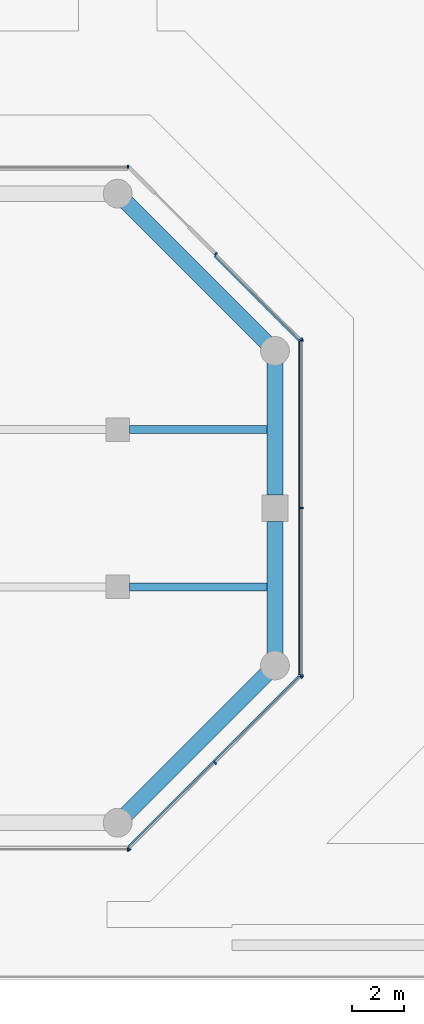
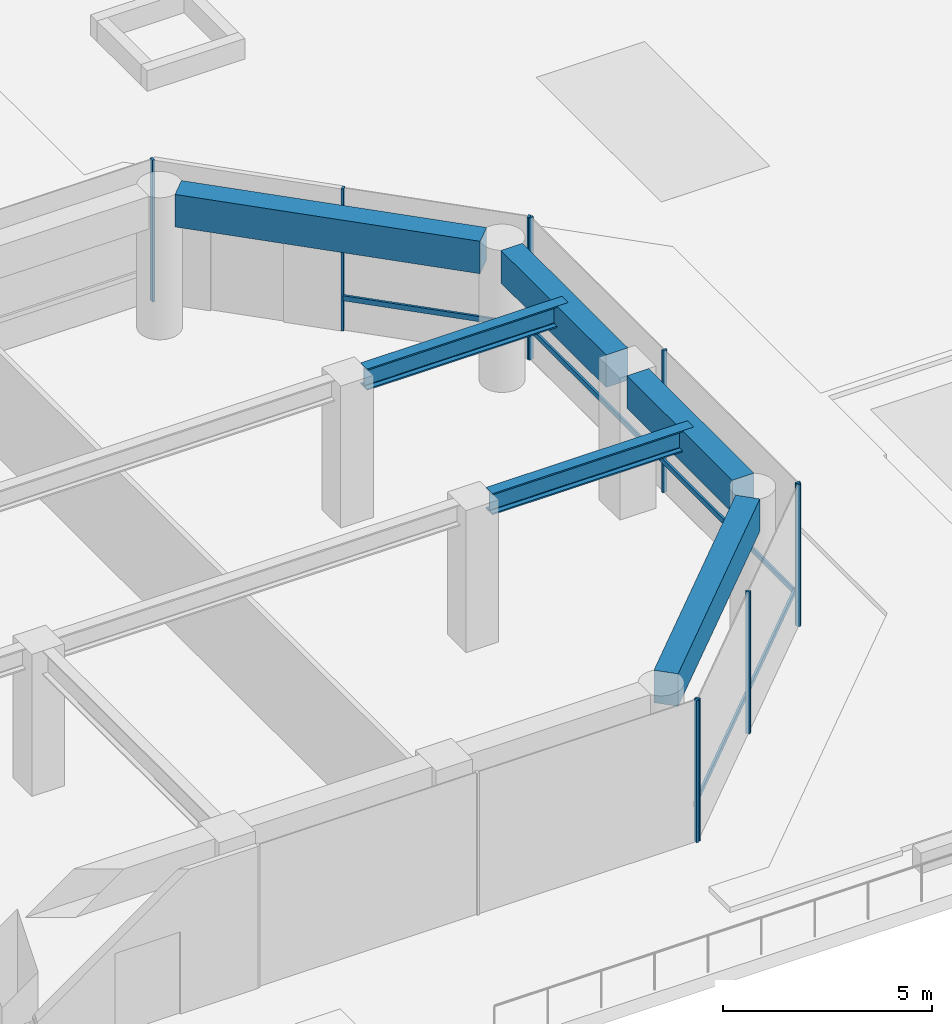
# One storey, part 20 of 31: 13 members, 6 beams, 5 elements without a shape of their own.
"""IFC4 building model written with IfcOpenShell, lengths in metres."""

from ifc_helpers import new_model, si_unit, direction, frame, origin, origin_2d, place, context, subcontext, project, spatial, rectangle, i_section, extrude, material, layer, layer_set, material_profile, profile_set, type_object, element, aggregate, save


model = new_model("IFC4")

# Units and contexts
model_context = context("Model", 3, precision=1e-05, world=origin(), true_north=direction((0.0, 1.0)))
body_context = subcontext(model_context, "Body", "Model", "MODEL_VIEW")
ifc_project = project(units=[si_unit("LENGTHUNIT", "METRE"), si_unit("AREAUNIT", "SQUARE_METRE"), si_unit("VOLUMEUNIT", "CUBIC_METRE"), si_unit("PLANEANGLEUNIT", "RADIAN"), si_unit("MASSUNIT", "GRAM", prefix="KILO")], contexts=[model_context])

# Site, building, storey
site_placement = place(None, origin())
site = spatial("IfcSite", under=ifc_project, at=site_placement, CompositionType="ELEMENT")
building_placement = place(site_placement, origin())
building = spatial("IfcBuilding", under=site, at=building_placement, Name="Welwitschia Terrace Campus", CompositionType="ELEMENT")
storey_placement = place(building_placement, frame((0.0, 0.0, 11.0)))
storey = spatial("IfcBuildingStorey", under=building, at=storey_placement, Name="L02", CompositionType="ELEMENT", Elevation=11.0)

# Beams
ifc_material_1 = material(Name="Steel S355", Category="steel")
ifc_material_profile_1 = material_profile(ifc_material_1, i_section(OverallWidth=0.304931640625, OverallDepth=0.6201171875, WebThickness=0.02099609375, FlangeThickness=0.0400390625, FilletRadius=0.027099609375, at=origin_2d()))
ifc_profile_set_1 = profile_set([ifc_material_profile_1], Name="Steel S355")
beam_type_1 = type_object("IfcBeamType", Name="Interior girder HE 600 M", PredefinedType="BEAM", material=ifc_profile_set_1)
for number, where, z_axis, x_axis, name in (
    (1, (60.450439453125, 5.0, 3.840087890625), (1.0, 0.0, 0.0), (0.0, 1.0, 0.0), "Girder GB1"),
    (2, (60.450439453125, 11.0, 3.840087890625), (1.0, 0.0, 0.0), (0.0, 1.0, 0.0), "Girder GB1"),
):
    element("IfcBeam", number, at=place(storey_placement, frame(where, z_axis=z_axis, x_axis=x_axis)), inside=storey, type_object=beam_type_1, Name=name, PredefinedType="BEAM", context=body_context, shape_type="SweptSolid", body=[
        extrude(i_section(OverallWidth=0.304931640625, OverallDepth=0.6201171875, WebThickness=0.02099609375, FlangeThickness=0.0400390625, FilletRadius=0.027099609375, at=origin_2d()), origin(), (0.0, 0.0, 1.0), 5.5595703125),
    ])

# Curtain wall, member
ifc_material_2 = material(Name="Bronze anodised aluminium", Category="aluminium")
ifc_layer = layer(ifc_material_2, 0.1201171875)
ifc_layer_set = layer_set([ifc_layer], Name="Bronze anodised aluminium")
curtain_wall_type = type_object("IfcCurtainWallType", Name="Curtain wall CW2 tower 6000", PredefinedType="NOTDEFINED", material=ifc_layer_set)
curtain_wall_1_placement = place(storey_placement, origin())
curtain_wall_1 = element("IfcCurtainWall", 3, at=curtain_wall_1_placement, inside=storey, type_object=curtain_wall_type, Name="CW L02.1.7", PredefinedType="NOTDEFINED")
ifc_material_3 = material(Name="Bronze anodised aluminium", Category="aluminium")
ifc_material_profile_2 = material_profile(ifc_material_3, rectangle(XDim=0.1201171875, YDim=0.06005859375, at=origin_2d()))
ifc_profile_set_2 = profile_set([ifc_material_profile_2], Name="Bronze anodised aluminium")
member_type_1 = type_object("IfcMemberType", Name="Mullion 60x120", PredefinedType="MULLION", material=ifc_profile_set_2)
member_1_placement = place(storey_placement, frame((60.392578125, -5.02001953125, 0.0), z_axis=(0.0, 0.0, 1.0), x_axis=(0.0, 1.0, 0.0)))
member_1 = element("IfcMember", 4, at=member_1_placement, type_object=member_type_1, Name="Mullion L02.1.7.2", PredefinedType="MULLION", context=body_context, shape_type="SweptSolid", body=[
    extrude(rectangle(XDim=0.1201171875, YDim=0.06005859375, at=origin_2d()), origin(), (0.0, 0.0, 1.0), 4.14990234375),
])
aggregate(curtain_wall_1, [member_1])

# Curtain wall, members
curtain_wall_2_placement = place(storey_placement, origin())
curtain_wall_2 = element("IfcCurtainWall", 5, at=curtain_wall_2_placement, inside=storey, type_object=curtain_wall_type, Name="CW L02.2.0", PredefinedType="NOTDEFINED")
member_2_placement = place(storey_placement, frame((60.443603515625, -4.998779296875, 0.0), z_axis=(0.0, 0.0, 1.0), x_axis=(-0.707106781187, 0.707106781187, 0.0)))
member_2 = element("IfcMember", 6, at=member_2_placement, type_object=member_type_1, Name="Mullion L02.2.0.0", PredefinedType="MULLION", context=body_context, shape_type="SweptSolid", body=[
    extrude(rectangle(XDim=0.1201171875, YDim=0.06005859375, at=origin_2d()), origin(), (0.0, 0.0, 1.0), 4.14990234375),
])
member_3_placement = place(storey_placement, frame((63.72119140625, -1.72119140625, 0.0), z_axis=(0.0, 0.0, 1.0), x_axis=(-0.707106781187, 0.707106781187, 0.0)))
member_3 = element("IfcMember", 7, at=member_3_placement, type_object=member_type_1, Name="Mullion L02.2.0.1", PredefinedType="MULLION", context=body_context, shape_type="SweptSolid", body=[
    extrude(rectangle(XDim=0.1201171875, YDim=0.06005859375, at=origin_2d()), origin(), (0.0, 0.0, 1.0), 4.14990234375),
])
member_4_placement = place(storey_placement, frame((66.998779296875, 1.556396484375, 0.0), z_axis=(0.0, 0.0, 1.0), x_axis=(-0.707106781187, 0.707106781187, 0.0)))
member_4 = element("IfcMember", 8, at=member_4_placement, type_object=member_type_1, Name="Mullion L02.2.0.2", PredefinedType="MULLION", context=body_context, shape_type="SweptSolid", body=[
    extrude(rectangle(XDim=0.1201171875, YDim=0.06005859375, at=origin_2d()), origin(), (0.0, 0.0, 1.0), 4.14990234375),
])

curtain_wall_3_placement = place(storey_placement, origin())
curtain_wall_3 = element("IfcCurtainWall", 9, at=curtain_wall_3_placement, inside=storey, type_object=curtain_wall_type, Name="CW L02.3.0", PredefinedType="NOTDEFINED")
member_5_placement = place(storey_placement, frame((67.02001953125, 1.607421875, 0.0), z_axis=(0.0, 0.0, 1.0), x_axis=(-1.0, 0.0, 0.0)))
member_5 = element("IfcMember", 10, at=member_5_placement, type_object=member_type_1, Name="Mullion L02.3.0.0", PredefinedType="MULLION", context=body_context, shape_type="SweptSolid", body=[
    extrude(rectangle(XDim=0.1201171875, YDim=0.06005859375, at=origin_2d()), origin(), (0.0, 0.0, 1.0), 4.14990234375),
])
member_6_placement = place(storey_placement, frame((67.02001953125, 8.0, 0.0), z_axis=(0.0, 0.0, 1.0), x_axis=(-1.0, 0.0, 0.0)))
member_6 = element("IfcMember", 11, at=member_6_placement, type_object=member_type_1, Name="Mullion L02.3.0.1", PredefinedType="MULLION", context=body_context, shape_type="SweptSolid", body=[
    extrude(rectangle(XDim=0.1201171875, YDim=0.06005859375, at=origin_2d()), origin(), (0.0, 0.0, 1.0), 4.14990234375),
])
member_7_placement = place(storey_placement, frame((67.02001953125, 14.392578125, 0.0), z_axis=(0.0, 0.0, 1.0), x_axis=(-1.0, 0.0, 0.0)))
member_7 = element("IfcMember", 12, at=member_7_placement, type_object=member_type_1, Name="Mullion L02.3.0.2", PredefinedType="MULLION", context=body_context, shape_type="SweptSolid", body=[
    extrude(rectangle(XDim=0.1201171875, YDim=0.06005859375, at=origin_2d()), origin(), (0.0, 0.0, 1.0), 4.14990234375),
])

curtain_wall_4_placement = place(storey_placement, origin())
curtain_wall_4 = element("IfcCurtainWall", 13, at=curtain_wall_4_placement, inside=storey, type_object=curtain_wall_type, Name="CW L02.4.0", PredefinedType="NOTDEFINED")
member_8_placement = place(storey_placement, frame((66.998779296875, 14.443603515625, 0.0), z_axis=(0.0, 0.0, 1.0), x_axis=(-0.707106781187, -0.707106781187, 0.0)))
member_8 = element("IfcMember", 14, at=member_8_placement, type_object=member_type_1, Name="Mullion L02.4.0.0", PredefinedType="MULLION", context=body_context, shape_type="SweptSolid", body=[
    extrude(rectangle(XDim=0.1201171875, YDim=0.06005859375, at=origin_2d()), origin(), (0.0, 0.0, 1.0), 4.14990234375),
])
member_9_placement = place(storey_placement, frame((63.742431640625, 17.699951171875, 0.0), z_axis=(0.0, 0.0, 1.0), x_axis=(-0.707106781187, -0.707106781187, 0.0)))
member_9 = element("IfcMember", 15, at=member_9_placement, type_object=member_type_1, Name="Mullion L02.4.0.1", PredefinedType="MULLION", context=body_context, shape_type="SweptSolid", body=[
    extrude(rectangle(XDim=0.1201171875, YDim=0.06005859375, at=origin_2d()), origin(), (0.0, 0.0, 1.0), 4.14990234375),
])

# Curtain wall, member
curtain_wall_5_placement = place(storey_placement, origin())
curtain_wall_5 = element("IfcCurtainWall", 16, at=curtain_wall_5_placement, inside=storey, type_object=curtain_wall_type, Name="CW L02.5.0", PredefinedType="NOTDEFINED")
member_10_placement = place(storey_placement, frame((60.392578125, 21.02001953125, 0.0), z_axis=(0.0, 0.0, 1.0), x_axis=(0.0, -1.0, 0.0)))
member_10 = element("IfcMember", 17, at=member_10_placement, type_object=member_type_1, Name="Mullion L02.5.0.0", PredefinedType="MULLION", context=body_context, shape_type="SweptSolid", body=[
    extrude(rectangle(XDim=0.1201171875, YDim=0.06005859375, at=origin_2d()), origin(), (0.0, 0.0, 1.0), 4.14990234375),
])
aggregate(curtain_wall_5, [member_10])

# Beams
ifc_material_4 = material(Name="Concrete C60/75", Category="concrete")
ifc_material_profile_3 = material_profile(ifc_material_4, rectangle(XDim=0.60009765625, YDim=0.949951171875, at=origin_2d()))
ifc_profile_set_3 = profile_set([ifc_material_profile_3], Name="Concrete C60/75")
beam_type_2 = type_object("IfcBeamType", Name="Ring spandrel 600x950", PredefinedType="SPANDREL", material=ifc_profile_set_3)
beam_1_placement = place(storey_placement, frame((60.326416015625, -3.673583984375, 3.675048828125), z_axis=(0.707106781187, 0.707106781187, 0.0), x_axis=(-0.707106781187, 0.707106781187, 0.0)))
element("IfcBeam", 18, at=beam_1_placement, inside=storey, type_object=beam_type_2, Name="Spandrel SP1", PredefinedType="SPANDREL", context=body_context, shape_type="SweptSolid", body=[
    extrude(rectangle(XDim=0.60009765625, YDim=0.949951171875, at=origin_2d()), origin(), (0.0, 0.0, 1.0), 7.56201171875),
])
for number, where, z_axis, x_axis, name in (
    (19, (66.0, 2.46142578125, 3.675048828125), (0.0, 1.0, 0.0), (-1.0, 0.0, 0.0), "Spandrel SP1"),
    (20, (66.0, 8.50048828125, 3.675048828125), (0.0, 1.0, 0.0), (-1.0, 0.0, 0.0), "Spandrel SP1"),
):
    element("IfcBeam", number, at=place(storey_placement, frame(where, z_axis=z_axis, x_axis=x_axis)), inside=storey, type_object=beam_type_2, Name=name, PredefinedType="SPANDREL", context=body_context, shape_type="SweptSolid", body=[
        extrude(rectangle(XDim=0.60009765625, YDim=0.949951171875, at=origin_2d()), origin(), (0.0, 0.0, 1.0), 5.0380859375),
    ])
beam_2_placement = place(storey_placement, frame((65.673583984375, 14.326416015625, 3.675048828125), z_axis=(-0.707106781187, 0.707106781187, 0.0), x_axis=(-0.707106781187, -0.707106781187, 0.0)))
element("IfcBeam", 21, at=beam_2_placement, inside=storey, type_object=beam_type_2, Name="Spandrel SP1", PredefinedType="SPANDREL", context=body_context, shape_type="SweptSolid", body=[
    extrude(rectangle(XDim=0.60009765625, YDim=0.949951171875, at=origin_2d()), origin(), (0.0, 0.0, 1.0), 7.56201171875),
])

# Member
ifc_material_5 = material(Name="Bronze anodised aluminium", Category="aluminium")
ifc_material_profile_4 = material_profile(ifc_material_5, rectangle(XDim=0.06005859375, YDim=0.14990234375, at=origin_2d()))
ifc_profile_set_4 = profile_set([ifc_material_profile_4], Name="Bronze anodised aluminium")
member_type_2 = type_object("IfcMemberType", Name="Transom 60x150", PredefinedType="USERDEFINED", material=ifc_profile_set_4)
member_11_placement = place(storey_placement, frame((60.4013671875, -4.913818359375, 1.0), z_axis=(0.707106781187, 0.707106781187, 0.0), x_axis=(-0.707106781187, 0.707106781187, 0.0)))
member_11 = element("IfcMember", 22, at=member_11_placement, type_object=member_type_2, Name="Transom L02.2.0", ObjectType="TRANSOM", PredefinedType="USERDEFINED", context=body_context, shape_type="SweptSolid", body=[
    extrude(rectangle(XDim=0.06005859375, YDim=0.14990234375, at=origin_2d()), origin(), (0.0, 0.0, 1.0), 9.2099609375),
])

aggregate(curtain_wall_2, [member_2, member_3, member_4, member_11])

member_12_placement = place(storey_placement, frame((66.929931640625, 1.637451171875, 1.0), z_axis=(0.0, 1.0, 0.0), x_axis=(-1.0, 0.0, 0.0)))
member_12 = element("IfcMember", 23, at=member_12_placement, type_object=member_type_2, Name="Transom L02.3.0", ObjectType="TRANSOM", PredefinedType="USERDEFINED", context=body_context, shape_type="SweptSolid", body=[
    extrude(rectangle(XDim=0.06005859375, YDim=0.14990234375, at=origin_2d()), origin(), (0.0, 0.0, 1.0), 12.72509765625),
])

aggregate(curtain_wall_3, [member_5, member_6, member_7, member_12])

member_13_placement = place(storey_placement, frame((66.913818359375, 14.4013671875, 1.0), z_axis=(-0.707106781187, 0.707106781187, 0.0), x_axis=(-0.707106781187, -0.707106781187, 0.0)))
member_13 = element("IfcMember", 24, at=member_13_placement, type_object=member_type_2, Name="Transom L02.4.0", ObjectType="TRANSOM", PredefinedType="USERDEFINED", context=body_context, shape_type="SweptSolid", body=[
    extrude(rectangle(XDim=0.06005859375, YDim=0.14990234375, at=origin_2d()), origin(), (0.0, 0.0, 1.0), 4.545166015625),
])

aggregate(curtain_wall_4, [member_8, member_9, member_13])

save(model, "model.ifc")
